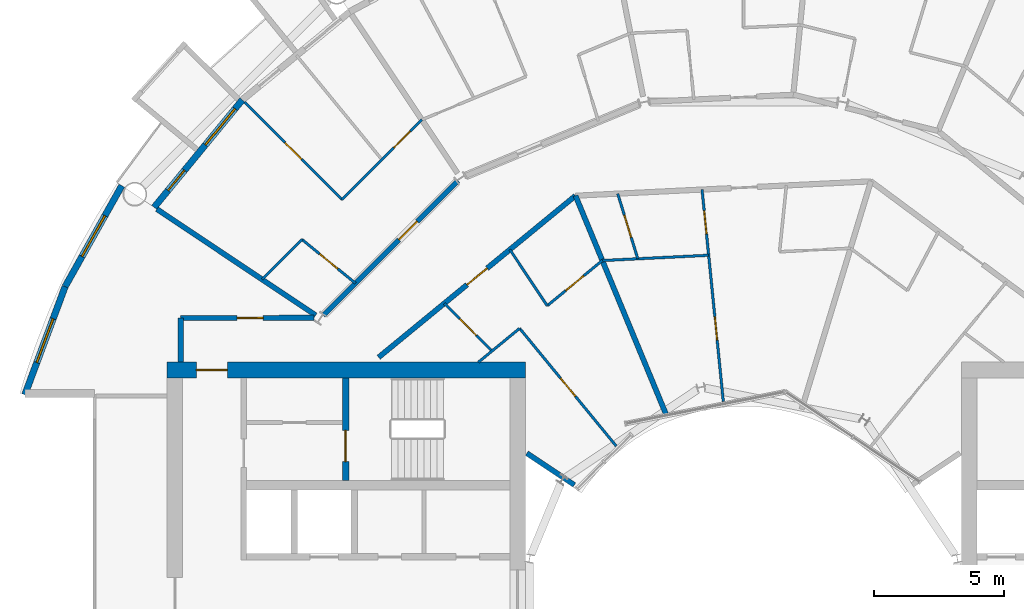
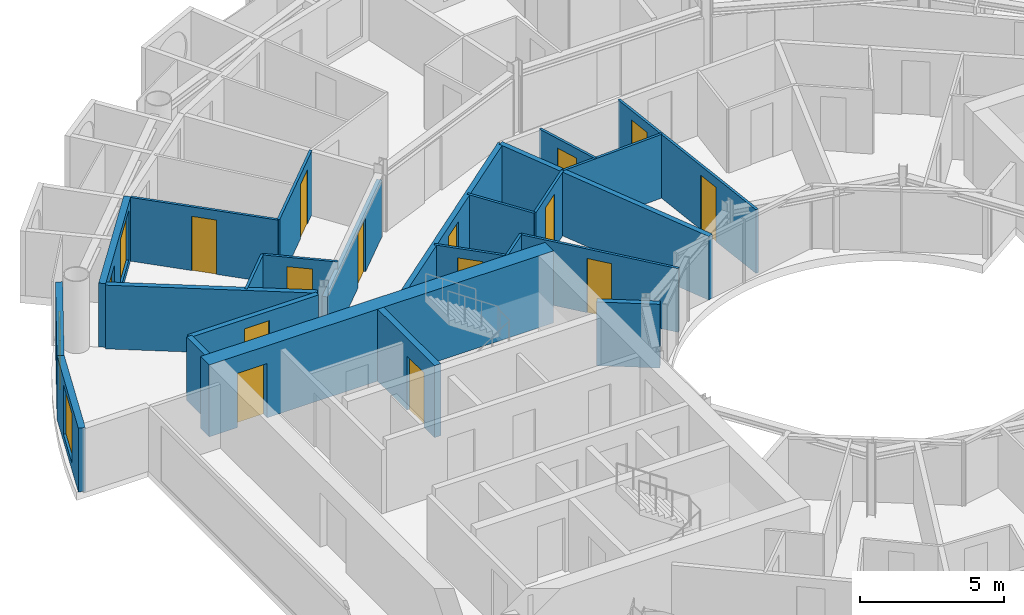
# One storey, part 19 of 27: 24 walls, 15 doors, 3 windows, 18 openings.
"""IFC4 building model written with IfcOpenShell, lengths in metres."""

from ifc_helpers import new_model, si_unit, direction, frame, frame_2d, origin, place, context, subcontext, project, spatial, rectangle, extrude, material, layer, layer_set, type_object, element, fill, save


model = new_model("IFC4")

# Units and contexts
model_context = context("Model", 3, precision=1e-05, world=origin(), true_north=direction((0.0, 1.0)))
body_context = subcontext(model_context, "Body", "Model", "MODEL_VIEW")
ifc_project = project(units=[si_unit("LENGTHUNIT", "METRE"), si_unit("AREAUNIT", "SQUARE_METRE"), si_unit("VOLUMEUNIT", "CUBIC_METRE"), si_unit("PLANEANGLEUNIT", "RADIAN"), si_unit("MASSUNIT", "GRAM", prefix="KILO")], contexts=[model_context])

# Site, building, storey
site_placement = place(None, origin())
site = spatial("IfcSite", under=ifc_project, at=site_placement, CompositionType="ELEMENT")
building_placement = place(site_placement, origin())
building = spatial("IfcBuilding", under=site, at=building_placement, Name="Maasbend Ring Residences", CompositionType="ELEMENT")
storey_placement = place(building_placement, frame((0.0, 0.0, 111.64990234375)))
storey = spatial("IfcBuildingStorey", under=building, at=storey_placement, Name="L31", CompositionType="ELEMENT", Elevation=111.64990234375)

# Wall, opening, door
ifc_material_1 = material(Name="Concrete C60/75", Category="concrete")
ifc_layer_1 = layer(ifc_material_1, 0.25)
ifc_layer_set_1 = layer_set([ifc_layer_1], Name="Concrete C60/75")
wall_type_1 = type_object("IfcWallType", Name="CORE WALL 250 C60/75", PredefinedType="SHEAR", material=ifc_layer_set_1)
wall_1_placement = place(storey_placement, frame((-15.324951171875, 8.60009765625, 0.0), z_axis=(0.0, 0.0, 1.0), x_axis=(0.0, -1.0, 0.0)))
wall_1 = element("IfcWall", 1, at=wall_1_placement, inside=storey, type_object=wall_type_1, Name="L31 core W wall STES", PredefinedType="SHEAR", context=body_context, shape_type="SweptSolid", body=[
    extrude(rectangle(XDim=3.9501953125, YDim=0.25, at=frame_2d((1.97509765625, 0.0))), origin(), (0.0, 0.0, 1.0), 3.050048828125),
])
opening_1_placement = place(wall_1_placement, frame((2.02490234375, 0.0, 0.0)))
opening_1 = element("IfcOpeningElement", 2, at=opening_1_placement, cuts=wall_1, Name="Opening D-W3110", PredefinedType="OPENING", context=body_context, shape_type="SweptSolid", body=[
    extrude(rectangle(XDim=1.199951171875, YDim=2.300048828125, at=frame_2d((0.60009765625, 1.14990234375))), frame((0.0, 0.135009765625, 0.0), z_axis=(0.0, -1.0, 0.0), x_axis=(1.0, 0.0, 0.0)), (0.0, 0.0, 1.0), 0.27001953125),
])
ifc_material_2 = material(Name="Steel, powder coated", Category="steel")
door_type_1 = type_object("IfcDoorType", Name="STAIR DOOR 1200 X 2300 FD60", OperationType="NOTDEFINED", PredefinedType="DOOR", material=ifc_material_2)
door_1_placement = place(opening_1_placement, origin())
door_1 = element("IfcDoor", 3, at=door_1_placement, inside=storey, type_object=door_type_1, Name="Stair door ST-W L31", OperationType="SINGLE_SWING_LEFT", OverallHeight=2.300048828125, OverallWidth=1.199951171875, PredefinedType="DOOR", context=body_context, shape_type="SweptSolid", body=[
    extrude(rectangle(XDim=1.199951171875, YDim=2.300048828125, at=frame_2d((0.60009765625, 1.14990234375))), frame((0.0, 0.02490234375, 0.0), z_axis=(0.0, -1.0, 0.0), x_axis=(1.0, 0.0, 0.0)), (0.0, 0.0, 1.0), 0.050048828125),
])
fill(opening_1, door_1)

ifc_material_3 = material(Name="Concrete C60/75", Category="concrete")
ifc_layer_2 = layer(ifc_material_3, 0.60009765625)
ifc_layer_set_2 = layer_set([ifc_layer_2], Name="Concrete C60/75")
wall_type_2 = type_object("IfcWallType", Name="CORE WALL 600 C60/75", PredefinedType="SHEAR", material=ifc_layer_set_2)
wall_2_placement = place(storey_placement, frame((-8.39990234375, 8.89990234375, 0.0), z_axis=(0.0, 0.0, 1.0), x_axis=(-1.0, 0.0, 0.0)))
wall_2 = element("IfcWall", 4, at=wall_2_placement, inside=storey, type_object=wall_type_2, Name="L31 core W wall PS", PredefinedType="SHEAR", context=body_context, shape_type="SweptSolid", body=[
    extrude(rectangle(XDim=13.800048828125, YDim=0.60009765625, at=frame_2d((6.89990234375, 0.0))), origin(), (0.0, 0.0, 1.0), 3.050048828125),
])
opening_2_placement = place(wall_2_placement, frame((11.47509765625, 0.0, 0.0)))
opening_2 = element("IfcOpeningElement", 5, at=opening_2_placement, cuts=wall_2, Name="Opening D-W3114", PredefinedType="OPENING", context=body_context, shape_type="SweptSolid", body=[
    extrude(rectangle(XDim=1.199951171875, YDim=2.300048828125, at=frame_2d((0.60009765625, 1.14990234375))), frame((0.0, 0.31005859375, 0.0), z_axis=(0.0, -1.0, 0.0), x_axis=(1.0, 0.0, 0.0)), (0.0, 0.0, 1.0), 0.6201171875),
])
ifc_material_4 = material(Name="Steel, powder coated", Category="steel")
door_type_2 = type_object("IfcDoorType", Name="CORRIDOR DOOR 1200 X 2300 FD30S", OperationType="NOTDEFINED", PredefinedType="DOOR", material=ifc_material_4)
door_2_placement = place(opening_2_placement, origin())
door_2 = element("IfcDoor", 6, at=door_2_placement, inside=storey, type_object=door_type_2, Name="Corridor door L31", OperationType="SINGLE_SWING_LEFT", OverallHeight=2.300048828125, OverallWidth=1.199951171875, PredefinedType="DOOR", context=body_context, shape_type="SweptSolid", body=[
    extrude(rectangle(XDim=1.199951171875, YDim=2.300048828125, at=frame_2d((0.60009765625, 1.14990234375))), frame((0.0, 0.02490234375, 0.0), z_axis=(0.0, -1.0, 0.0), x_axis=(1.0, 0.0, 0.0)), (0.0, 0.0, 1.0), 0.050048828125),
])
fill(opening_2, door_2)

ifc_material_5 = material(Name="Concrete C30/37", Category="concrete")
ifc_layer_3 = layer(ifc_material_5, 0.199951171875)
ifc_layer_set_3 = layer_set([ifc_layer_3], Name="Concrete C30/37")
wall_type_3 = type_object("IfcWallType", Name="CORRIDOR WALL 200 CONCRETE", PredefinedType="PARTITIONING", material=ifc_layer_set_3)
wall_3_placement = place(storey_placement, frame((-21.675048828125, 10.89990234375, 0.0), z_axis=(0.0, 0.0, 1.0), x_axis=(0.999997173357, 0.002377662213, 0.0)))
wall_3 = element("IfcWall", 7, at=wall_3_placement, inside=storey, type_object=wall_type_3, Name="U-L31-w088", PredefinedType="PARTITIONING", context=body_context, shape_type="SweptSolid", body=[
    extrude(rectangle(XDim=5.134033203125, YDim=0.199951171875, at=frame_2d((2.56689453125, 0.0))), origin(), (0.0, 0.0, 1.0), 2.7001953125),
])
opening_3_placement = place(wall_3_placement, frame((2.1708984375, 0.0, 0.0)))
opening_3 = element("IfcOpeningElement", 8, at=opening_3_placement, cuts=wall_3, Name="Opening D-3168", PredefinedType="OPENING", context=body_context, shape_type="SweptSolid", body=[
    extrude(rectangle(XDim=1.0, YDim=2.300048828125, at=frame_2d((0.5, 1.14990234375))), frame((0.0, 0.10986328125, 0.0), z_axis=(0.0, -1.0, 0.0), x_axis=(1.0, 0.0, 0.0)), (0.0, 0.0, 1.0), 0.219970703125),
])
ifc_material_6 = material(Name="Timber, painted", Category="wood")
door_type_3 = type_object("IfcDoorType", Name="ROOM DOOR 1000 X 2300", OperationType="NOTDEFINED", PredefinedType="DOOR", material=ifc_material_6)
door_3_placement = place(opening_3_placement, origin())
door_3 = element("IfcDoor", 9, at=door_3_placement, inside=storey, type_object=door_type_3, Name="D-3168", OperationType="SINGLE_SWING_RIGHT", OverallHeight=2.300048828125, OverallWidth=1.0, PredefinedType="DOOR", context=body_context, shape_type="SweptSolid", body=[
    extrude(rectangle(XDim=1.0, YDim=2.300048828125, at=frame_2d((0.5, 1.14990234375))), frame((0.0, 0.02490234375, 0.0), z_axis=(0.0, -1.0, 0.0), x_axis=(1.0, 0.0, 0.0)), (0.0, 0.0, 1.0), 0.050048828125),
])
fill(opening_3, door_3)

wall_4_placement = place(storey_placement, frame((-14.052001953125, 9.388916015625, 0.0), z_axis=(0.0, 0.0, 1.0), x_axis=(0.77292501819, 0.634497372931, 0.0)))
wall_4 = element("IfcWall", 10, at=wall_4_placement, inside=storey, type_object=wall_type_3, Name="U-L31-w098", PredefinedType="PARTITIONING", context=body_context, shape_type="SweptSolid", body=[
    extrude(rectangle(XDim=9.8095703125, YDim=0.199951171875, at=frame_2d((4.90478515625, 0.0))), origin(), (0.0, 0.0, 1.0), 2.7001953125),
])
opening_4_placement = place(wall_4_placement, frame((4.406005859375, 0.0, 0.0)))
opening_4 = element("IfcOpeningElement", 11, at=opening_4_placement, cuts=wall_4, Name="Opening D-3130", PredefinedType="OPENING", context=body_context, shape_type="SweptSolid", body=[
    extrude(rectangle(XDim=1.0, YDim=2.300048828125, at=frame_2d((0.5, 1.14990234375))), frame((0.0, 0.10986328125, 0.0), z_axis=(0.0, -1.0, 0.0), x_axis=(1.0, 0.0, 0.0)), (0.0, 0.0, 1.0), 0.219970703125),
])
ifc_material_7 = material(Name="Timber, fire-rated, painted", Category="wood")
door_type_4 = type_object("IfcDoorType", Name="FLAT ENTRANCE DOOR 1000 X 2300 FIRE-RATED", OperationType="NOTDEFINED", PredefinedType="DOOR", material=ifc_material_7)
door_4_placement = place(opening_4_placement, origin())
door_4 = element("IfcDoor", 12, at=door_4_placement, inside=storey, type_object=door_type_4, Name="D-3130", OperationType="SINGLE_SWING_RIGHT", OverallHeight=2.300048828125, OverallWidth=1.0, PredefinedType="DOOR", context=body_context, shape_type="SweptSolid", body=[
    extrude(rectangle(XDim=1.0, YDim=2.300048828125, at=frame_2d((0.5, 1.14990234375))), frame((0.0, 0.02490234375, 0.0), z_axis=(0.0, -1.0, 0.0), x_axis=(1.0, 0.0, 0.0)), (0.0, 0.0, 1.0), 0.050048828125),
])
fill(opening_4, door_4)

wall_5_placement = place(storey_placement, frame((-16.18603515625, 11.0, 0.0), z_axis=(0.0, 0.0, 1.0), x_axis=(0.707106781187, 0.707106781187, 0.0)))
wall_5 = element("IfcWall", 13, at=wall_5_placement, inside=storey, type_object=wall_type_3, Name="U-L31-w100", PredefinedType="PARTITIONING", context=body_context, shape_type="SweptSolid", body=[
    extrude(rectangle(XDim=7.334228515625, YDim=0.199951171875, at=frame_2d((3.6669921875, 0.0))), origin(), (0.0, 0.0, 1.0), 2.39013671875),
])
opening_5_placement = place(wall_5_placement, frame((4.123046875, 0.0, 0.0)))
opening_5 = element("IfcOpeningElement", 14, at=opening_5_placement, cuts=wall_5, Name="Opening D-3117", PredefinedType="OPENING", context=body_context, shape_type="SweptSolid", body=[
    extrude(rectangle(XDim=1.0, YDim=2.300048828125, at=frame_2d((0.5, 1.14990234375))), frame((0.0, 0.10986328125, 0.0), z_axis=(0.0, -1.0, 0.0), x_axis=(1.0, 0.0, 0.0)), (0.0, 0.0, 1.0), 0.219970703125),
])
door_5_placement = place(opening_5_placement, origin())
door_5 = element("IfcDoor", 15, at=door_5_placement, inside=storey, type_object=door_type_4, Name="D-3117", OperationType="SINGLE_SWING_RIGHT", OverallHeight=2.300048828125, OverallWidth=1.0, PredefinedType="DOOR", context=body_context, shape_type="SweptSolid", body=[
    extrude(rectangle(XDim=1.0, YDim=2.300048828125, at=frame_2d((0.5, 1.14990234375))), frame((0.0, 0.02490234375, 0.0), z_axis=(0.0, -1.0, 0.0), x_axis=(1.0, 0.0, 0.0)), (0.0, 0.0, 1.0), 0.050048828125),
])
fill(opening_5, door_5)

# Wall
wall_6_placement = place(storey_placement, frame((-21.675048828125, 9.199951171875, 0.0), z_axis=(0.0, 0.0, 1.0), x_axis=(0.0, 1.0, 0.0)))
element("IfcWall", 16, at=wall_6_placement, inside=storey, type_object=wall_type_3, Name="U-L31-w108", PredefinedType="PARTITIONING", context=body_context, shape_type="SweptSolid", body=[
    extrude(rectangle(XDim=1.699951171875, YDim=0.199951171875, at=frame_2d((0.85009765625, 0.0))), origin(), (0.0, 0.0, 1.0), 2.7001953125),
])

# Wall, openings, door, window
ifc_material_8 = material(Name="Aluminium clad insulated panel", Category="aluminium")
ifc_layer_4 = layer(ifc_material_8, 0.25)
ifc_layer_set_4 = layer_set([ifc_layer_4], Name="EW-GL")
wall_type_4 = type_object("IfcWallType", Name="EW-GL", PredefinedType="SOLIDWALL", material=ifc_layer_set_4)
wall_7_placement = place(storey_placement, frame((-19.303955078125, 19.303955078125, 0.0), z_axis=(0.0, 0.0, 1.0), x_axis=(-0.634382322723, -0.773019449054, 0.0)))
wall_7 = element("IfcWall", 17, at=wall_7_placement, inside=storey, type_object=wall_type_4, Name="External wall N10", PredefinedType="SOLIDWALL", context=body_context, shape_type="SweptSolid", body=[
    extrude(rectangle(XDim=5.351806640625, YDim=0.25, at=frame_2d((2.67578125, 0.0))), origin(), (0.0, 0.0, 1.0), 2.7001953125),
])
opening_6_placement = place(wall_7_placement, frame((0.441162109375, 0.0, 0.300048828125)))
opening_6 = element("IfcOpeningElement", 18, at=opening_6_placement, cuts=wall_7, Name="Opening W-BX", PredefinedType="OPENING", context=body_context, shape_type="SweptSolid", body=[
    extrude(rectangle(XDim=1.800048828125, YDim=2.10009765625, at=frame_2d((0.89990234375, 1.050048828125))), frame((0.0, 0.135009765625, 0.0), z_axis=(0.0, -1.0, 0.0), x_axis=(1.0, 0.0, 0.0)), (0.0, 0.0, 1.0), 0.27001953125),
])
opening_7_placement = place(wall_7_placement, frame((3.510498046875, 0.0, 0.0)))
opening_7 = element("IfcOpeningElement", 19, at=opening_7_placement, cuts=wall_7, Name="Opening D-LG", PredefinedType="OPENING", context=body_context, shape_type="SweptSolid", body=[
    extrude(rectangle(XDim=1.0, YDim=2.199951171875, at=frame_2d((0.5, 1.10009765625))), frame((0.0, 0.135009765625, 0.0), z_axis=(0.0, -1.0, 0.0), x_axis=(1.0, 0.0, 0.0)), (0.0, 0.0, 1.0), 0.27001953125),
])
ifc_material_9 = material(Name="Aluminium and clear glass", Category="aluminium")
door_type_5 = type_object("IfcDoorType", Name="D-LG", OperationType="SINGLE_SWING_LEFT", PredefinedType="DOOR", material=ifc_material_9)
door_6_placement = place(opening_7_placement, origin())
door_6 = element("IfcDoor", 20, at=door_6_placement, inside=storey, type_object=door_type_5, Name="Loggia door N20", OperationType="SINGLE_SWING_LEFT", OverallHeight=2.199951171875, OverallWidth=1.0, PredefinedType="DOOR", context=body_context, shape_type="SweptSolid", body=[
    extrude(rectangle(XDim=1.0, YDim=2.199951171875, at=frame_2d((0.5, 1.10009765625))), frame((0.0, 0.02490234375, 0.0), z_axis=(0.0, -1.0, 0.0), x_axis=(1.0, 0.0, 0.0)), (0.0, 0.0, 1.0), 0.050048828125),
])
fill(opening_7, door_6)
ifc_material_10 = material(Name="Aluminium and clear glass", Category="aluminium")
window_type = type_object("IfcWindowType", Name="W-BX", PartitioningType="DOUBLE_PANEL_VERTICAL", PredefinedType="WINDOW", material=ifc_material_10)
window_1_placement = place(opening_6_placement, origin())
window_1 = element("IfcWindow", 21, at=window_1_placement, inside=storey, type_object=window_type, Name="Window N19 room to box", OverallHeight=2.10009765625, OverallWidth=1.800048828125, PartitioningType="SINGLE_PANEL", PredefinedType="WINDOW", context=body_context, shape_type="SweptSolid", body=[
    extrude(rectangle(XDim=1.800048828125, YDim=2.10009765625, at=frame_2d((0.89990234375, 1.050048828125))), frame((0.0, 0.030029296875, 0.0), z_axis=(0.0, -1.0, 0.0), x_axis=(1.0, 0.0, 0.0)), (0.0, 0.0, 1.0), 0.06005859375),
])
fill(opening_6, window_1)

# Wall, opening, window
ifc_material_11 = material(Name="Aluminium clad insulated panel", Category="aluminium")
ifc_layer_5 = layer(ifc_material_11, 0.25)
ifc_layer_set_5 = layer_set([ifc_layer_5], Name="EW-HORN")
wall_type_5 = type_object("IfcWallType", Name="EW-HORN", PredefinedType="SOLIDWALL", material=ifc_layer_set_5)
wall_8_placement = place(storey_placement, frame((-23.946044921875, 16.0, 0.0), z_axis=(0.0, 0.0, 1.0), x_axis=(-0.489696356642, -0.871893042919, 0.0)))
wall_8 = element("IfcWall", 22, at=wall_8_placement, inside=storey, type_object=wall_type_5, Name="Horn wall 4.1", PredefinedType="SOLIDWALL", context=body_context, shape_type="SweptSolid", body=[
    extrude(rectangle(XDim=4.45361328125, YDim=0.25, at=frame_2d((2.226806640625, 0.0))), origin(), (0.0, 0.0, 1.0), 2.7001953125),
])
opening_8_placement = place(wall_8_placement, frame((1.32666015625, 0.0, 0.300048828125)))
opening_8 = element("IfcOpeningElement", 23, at=opening_8_placement, cuts=wall_8, Name="Opening W-BX", PredefinedType="OPENING", context=body_context, shape_type="SweptSolid", body=[
    extrude(rectangle(XDim=1.800048828125, YDim=2.10009765625, at=frame_2d((0.89990234375, 1.050048828125))), frame((0.0, 0.135009765625, 0.0), z_axis=(0.0, -1.0, 0.0), x_axis=(1.0, 0.0, 0.0)), (0.0, 0.0, 1.0), 0.27001953125),
])
window_2_placement = place(opening_8_placement, origin())
window_2 = element("IfcWindow", 24, at=window_2_placement, inside=storey, type_object=window_type, Name="Horn window 4.1", OverallHeight=2.10009765625, OverallWidth=1.800048828125, PartitioningType="SINGLE_PANEL", PredefinedType="WINDOW", context=body_context, shape_type="SweptSolid", body=[
    extrude(rectangle(XDim=1.800048828125, YDim=2.10009765625, at=frame_2d((0.89990234375, 1.050048828125))), frame((0.0, 0.030029296875, 0.0), z_axis=(0.0, -1.0, 0.0), x_axis=(1.0, 0.0, 0.0)), (0.0, 0.0, 1.0), 0.06005859375),
])
fill(opening_8, window_2)

wall_9_placement = place(storey_placement, frame((-26.126953125, 12.116943359375, 0.0), z_axis=(0.0, 0.0, 1.0), x_axis=(-0.349247811493, -0.937030397675, 0.0)))
wall_9 = element("IfcWall", 25, at=wall_9_placement, inside=storey, type_object=wall_type_5, Name="Horn wall 4.2", PredefinedType="SOLIDWALL", context=body_context, shape_type="SweptSolid", body=[
    extrude(rectangle(XDim=4.4521484375, YDim=0.25, at=frame_2d((2.22607421875, 0.0))), origin(), (0.0, 0.0, 1.0), 2.7001953125),
])
opening_9_placement = place(wall_9_placement, frame((1.32666015625, 0.0, 0.300048828125)))
opening_9 = element("IfcOpeningElement", 26, at=opening_9_placement, cuts=wall_9, Name="Opening W-BX", PredefinedType="OPENING", context=body_context, shape_type="SweptSolid", body=[
    extrude(rectangle(XDim=1.800048828125, YDim=2.10009765625, at=frame_2d((0.89990234375, 1.050048828125))), frame((0.0, 0.135009765625, 0.0), z_axis=(0.0, -1.0, 0.0), x_axis=(1.0, 0.0, 0.0)), (0.0, 0.0, 1.0), 0.27001953125),
])
window_3_placement = place(opening_9_placement, origin())
window_3 = element("IfcWindow", 27, at=window_3_placement, inside=storey, type_object=window_type, Name="Horn window 4.2", OverallHeight=2.10009765625, OverallWidth=1.800048828125, PartitioningType="SINGLE_PANEL", PredefinedType="WINDOW", context=body_context, shape_type="SweptSolid", body=[
    extrude(rectangle(XDim=1.800048828125, YDim=2.10009765625, at=frame_2d((0.89990234375, 1.050048828125))), frame((0.0, 0.030029296875, 0.0), z_axis=(0.0, -1.0, 0.0), x_axis=(1.0, 0.0, 0.0)), (0.0, 0.0, 1.0), 0.06005859375),
])
fill(opening_9, window_3)

# Wall, opening, door
ifc_material_12 = material(Name="Gypsum board on steel studs", Category="steel")
ifc_layer_6 = layer(ifc_material_12, 0.10009765625)
ifc_layer_set_6 = layer_set([ifc_layer_6], Name="PARTITION 100 GYPSUM")
wall_type_6 = type_object("IfcWallType", Name="PARTITION 100 GYPSUM", PredefinedType="PARTITIONING", material=ifc_layer_set_6)
wall_10_placement = place(storey_placement, frame((-19.216064453125, 19.216064453125, 0.0), z_axis=(0.0, 0.0, 1.0), x_axis=(0.707106781187, -0.707106781187, 0.0)))
wall_10 = element("IfcWall", 28, at=wall_10_placement, inside=storey, type_object=wall_type_6, Name="U-L31-w031", PredefinedType="PARTITIONING", context=body_context, shape_type="SweptSolid", body=[
    extrude(rectangle(XDim=5.3046875, YDim=0.10009765625, at=frame_2d((2.65234375, 0.0))), origin(), (0.0, 0.0, 1.0), 2.7001953125),
])
opening_10_placement = place(wall_10_placement, frame((2.201904296875, 0.0, 0.0)))
opening_10 = element("IfcOpeningElement", 29, at=opening_10_placement, cuts=wall_10, Name="Opening D-3119", PredefinedType="OPENING", context=body_context, shape_type="SweptSolid", body=[
    extrude(rectangle(XDim=0.89990234375, YDim=2.300048828125, at=frame_2d((0.449951171875, 1.14990234375))), frame((0.0, 0.06005859375, 0.0), z_axis=(0.0, -1.0, 0.0), x_axis=(1.0, 0.0, 0.0)), (0.0, 0.0, 1.0), 0.1201171875),
])
ifc_material_13 = material(Name="Timber, painted", Category="wood")
door_type_6 = type_object("IfcDoorType", Name="INTERNAL DOOR 900 X 2300", OperationType="NOTDEFINED", PredefinedType="DOOR", material=ifc_material_13)
door_7_placement = place(opening_10_placement, origin())
door_7 = element("IfcDoor", 30, at=door_7_placement, inside=storey, type_object=door_type_6, Name="D-3119", OperationType="SINGLE_SWING_LEFT", OverallHeight=2.300048828125, OverallWidth=0.89990234375, PredefinedType="DOOR", context=body_context, shape_type="SweptSolid", body=[
    extrude(rectangle(XDim=0.89990234375, YDim=2.300048828125, at=frame_2d((0.449951171875, 1.14990234375))), frame((0.0, 0.02490234375, 0.0), z_axis=(0.0, -1.0, 0.0), x_axis=(1.0, 0.0, 0.0)), (0.0, 0.0, 1.0), 0.050048828125),
])
fill(opening_10, door_7)

wall_11_placement = place(storey_placement, frame((-17.00390625, 13.927001953125, 0.0), z_axis=(0.0, 0.0, 1.0), x_axis=(0.77367517848, -0.633582447834, 0.0)))
wall_11 = element("IfcWall", 31, at=wall_11_placement, inside=storey, type_object=wall_type_6, Name="U-L31-w034", PredefinedType="PARTITIONING", context=body_context, shape_type="SweptSolid", body=[
    extrude(rectangle(XDim=2.6611328125, YDim=0.10009765625, at=frame_2d((1.33056640625, 0.0))), origin(), (0.0, 0.0, 1.0), 2.7001953125),
])
opening_11_placement = place(wall_11_placement, frame((0.881103515625, 0.0, 0.0)))
opening_11 = element("IfcOpeningElement", 32, at=opening_11_placement, cuts=wall_11, Name="Opening D-3118", PredefinedType="OPENING", context=body_context, shape_type="SweptSolid", body=[
    extrude(rectangle(XDim=0.89990234375, YDim=2.300048828125, at=frame_2d((0.449951171875, 1.14990234375))), frame((0.0, 0.06005859375, 0.0), z_axis=(0.0, -1.0, 0.0), x_axis=(1.0, 0.0, 0.0)), (0.0, 0.0, 1.0), 0.1201171875),
])
door_8_placement = place(opening_11_placement, origin())
door_8 = element("IfcDoor", 33, at=door_8_placement, inside=storey, type_object=door_type_6, Name="D-3118", OperationType="SINGLE_SWING_RIGHT", OverallHeight=2.300048828125, OverallWidth=0.89990234375, PredefinedType="DOOR", context=body_context, shape_type="SweptSolid", body=[
    extrude(rectangle(XDim=0.89990234375, YDim=2.300048828125, at=frame_2d((0.449951171875, 1.14990234375))), frame((0.0, 0.02490234375, 0.0), z_axis=(0.0, -1.0, 0.0), x_axis=(1.0, 0.0, 0.0)), (0.0, 0.0, 1.0), 0.050048828125),
])
fill(opening_11, door_8)

wall_12_placement = place(storey_placement, frame((-11.52392578125, 11.464111328125, 0.0), z_axis=(0.0, 0.0, 1.0), x_axis=(0.708796844581, -0.705412668665, 0.0)))
wall_12 = element("IfcWall", 34, at=wall_12_placement, inside=storey, type_object=wall_type_6, Name="U-L31-w041", PredefinedType="PARTITIONING", context=body_context, shape_type="SweptSolid", body=[
    extrude(rectangle(XDim=2.59716796875, YDim=0.10009765625, at=frame_2d((1.298583984375, 0.0))), origin(), (0.0, 0.0, 1.0), 2.7001953125),
])
opening_12_placement = place(wall_12_placement, frame((0.84912109375, 0.0, 0.0)))
opening_12 = element("IfcOpeningElement", 35, at=opening_12_placement, cuts=wall_12, Name="Opening D-3132", PredefinedType="OPENING", context=body_context, shape_type="SweptSolid", body=[
    extrude(rectangle(XDim=0.89990234375, YDim=2.300048828125, at=frame_2d((0.449951171875, 1.14990234375))), frame((0.0, 0.06005859375, 0.0), z_axis=(0.0, -1.0, 0.0), x_axis=(1.0, 0.0, 0.0)), (0.0, 0.0, 1.0), 0.1201171875),
])
door_9_placement = place(opening_12_placement, origin())
door_9 = element("IfcDoor", 36, at=door_9_placement, inside=storey, type_object=door_type_6, Name="D-3132", OperationType="SINGLE_SWING_RIGHT", OverallHeight=2.300048828125, OverallWidth=0.89990234375, PredefinedType="DOOR", context=body_context, shape_type="SweptSolid", body=[
    extrude(rectangle(XDim=0.89990234375, YDim=2.300048828125, at=frame_2d((0.449951171875, 1.14990234375))), frame((0.0, 0.02490234375, 0.0), z_axis=(0.0, -1.0, 0.0), x_axis=(1.0, 0.0, 0.0)), (0.0, 0.0, 1.0), 0.050048828125),
])
fill(opening_12, door_9)

# Wall
wall_13_placement = place(storey_placement, frame((-8.99609375, 13.5390625, 0.0), z_axis=(0.0, 0.0, 1.0), x_axis=(0.553615197403, -0.83277260594, 0.0)))
element("IfcWall", 37, at=wall_13_placement, inside=storey, type_object=wall_type_6, Name="U-L31-w045", PredefinedType="PARTITIONING", context=body_context, shape_type="SweptSolid", body=[
    extrude(rectangle(XDim=2.597412109375, YDim=0.10009765625, at=frame_2d((1.298828125, 0.0))), origin(), (0.0, 0.0, 1.0), 2.7001953125),
])

# Wall, opening, door
wall_14_placement = place(storey_placement, frame((-8.6201171875, 10.50390625, 0.0), z_axis=(0.0, 0.0, 1.0), x_axis=(0.634358693064, -0.773038840249, 0.0)))
wall_14 = element("IfcWall", 38, at=wall_14_placement, inside=storey, type_object=wall_type_6, Name="U-L31-w047", PredefinedType="PARTITIONING", context=body_context, shape_type="SweptSolid", body=[
    extrude(rectangle(XDim=5.86767578125, YDim=0.10009765625, at=frame_2d((2.933837890625, 0.0))), origin(), (0.0, 0.0, 1.0), 2.7001953125),
])
opening_13_placement = place(wall_14_placement, frame((2.48388671875, 0.0, 0.0)))
opening_13 = element("IfcOpeningElement", 39, at=opening_13_placement, cuts=wall_14, Name="Opening D-3133", PredefinedType="OPENING", context=body_context, shape_type="SweptSolid", body=[
    extrude(rectangle(XDim=0.89990234375, YDim=2.300048828125, at=frame_2d((0.449951171875, 1.14990234375))), frame((0.0, 0.06005859375, 0.0), z_axis=(0.0, -1.0, 0.0), x_axis=(1.0, 0.0, 0.0)), (0.0, 0.0, 1.0), 0.1201171875),
])
door_10_placement = place(opening_13_placement, origin())
door_10 = element("IfcDoor", 40, at=door_10_placement, inside=storey, type_object=door_type_6, Name="D-3133", OperationType="SINGLE_SWING_RIGHT", OverallHeight=2.300048828125, OverallWidth=0.89990234375, PredefinedType="DOOR", context=body_context, shape_type="SweptSolid", body=[
    extrude(rectangle(XDim=0.89990234375, YDim=2.300048828125, at=frame_2d((0.449951171875, 1.14990234375))), frame((0.0, 0.02490234375, 0.0), z_axis=(0.0, -1.0, 0.0), x_axis=(1.0, 0.0, 0.0)), (0.0, 0.0, 1.0), 0.050048828125),
])
fill(opening_13, door_10)

wall_15_placement = place(storey_placement, frame((-4.843017578125, 15.693115234375, 0.0), z_axis=(0.0, 0.0, 1.0), x_axis=(0.294961884541, -0.955509019669, 0.0)))
wall_15 = element("IfcWall", 41, at=wall_15_placement, inside=storey, type_object=wall_type_6, Name="U-L31-w053", PredefinedType="PARTITIONING", context=body_context, shape_type="SweptSolid", body=[
    extrude(rectangle(XDim=2.623779296875, YDim=0.10009765625, at=frame_2d((1.31201171875, 0.0))), origin(), (0.0, 0.0, 1.0), 2.7001953125),
])
opening_14_placement = place(wall_15_placement, frame((0.862060546875, 0.0, 0.0)))
opening_14 = element("IfcOpeningElement", 42, at=opening_14_placement, cuts=wall_15, Name="Opening D-3128", PredefinedType="OPENING", context=body_context, shape_type="SweptSolid", body=[
    extrude(rectangle(XDim=0.89990234375, YDim=2.300048828125, at=frame_2d((0.449951171875, 1.14990234375))), frame((0.0, 0.06005859375, 0.0), z_axis=(0.0, -1.0, 0.0), x_axis=(1.0, 0.0, 0.0)), (0.0, 0.0, 1.0), 0.1201171875),
])
door_11_placement = place(opening_14_placement, origin())
door_11 = element("IfcDoor", 43, at=door_11_placement, inside=storey, type_object=door_type_6, Name="D-3128", OperationType="SINGLE_SWING_RIGHT", OverallHeight=2.300048828125, OverallWidth=0.89990234375, PredefinedType="DOOR", context=body_context, shape_type="SweptSolid", body=[
    extrude(rectangle(XDim=0.89990234375, YDim=2.300048828125, at=frame_2d((0.449951171875, 1.14990234375))), frame((0.0, 0.02490234375, 0.0), z_axis=(0.0, -1.0, 0.0), x_axis=(1.0, 0.0, 0.0)), (0.0, 0.0, 1.0), 0.050048828125),
])
fill(opening_14, door_11)

# Wall, openings, doors
wall_16_placement = place(storey_placement, frame((-1.593017578125, 15.85302734375, 0.0), z_axis=(0.0, 0.0, 1.0), x_axis=(0.099730339513, -0.995014502096, 0.0)))
wall_16 = element("IfcWall", 44, at=wall_16_placement, inside=storey, type_object=wall_type_6, Name="U-L31-w056", PredefinedType="PARTITIONING", context=body_context, shape_type="SweptSolid", body=[
    extrude(rectangle(XDim=8.213134765625, YDim=0.10009765625, at=frame_2d((4.1064453125, 0.0))), origin(), (0.0, 0.0, 1.0), 2.7001953125),
])
opening_15_placement = place(wall_16_placement, frame((0.822998046875, 0.0, 0.0)))
opening_15 = element("IfcOpeningElement", 45, at=opening_15_placement, cuts=wall_16, Name="Opening D-3127", PredefinedType="OPENING", context=body_context, shape_type="SweptSolid", body=[
    extrude(rectangle(XDim=0.89990234375, YDim=2.300048828125, at=frame_2d((0.449951171875, 1.14990234375))), frame((0.0, 0.06005859375, 0.0), z_axis=(0.0, -1.0, 0.0), x_axis=(1.0, 0.0, 0.0)), (0.0, 0.0, 1.0), 0.1201171875),
])
opening_16_placement = place(wall_16_placement, frame((4.928955078125, 0.0, 0.0)))
opening_16 = element("IfcOpeningElement", 46, at=opening_16_placement, cuts=wall_16, Name="Opening D-3129", PredefinedType="OPENING", context=body_context, shape_type="SweptSolid", body=[
    extrude(rectangle(XDim=0.89990234375, YDim=2.300048828125, at=frame_2d((0.449951171875, 1.14990234375))), frame((0.0, 0.06005859375, 0.0), z_axis=(0.0, -1.0, 0.0), x_axis=(1.0, 0.0, 0.0)), (0.0, 0.0, 1.0), 0.1201171875),
])
door_12_placement = place(opening_15_placement, origin())
door_12 = element("IfcDoor", 47, at=door_12_placement, inside=storey, type_object=door_type_6, Name="D-3127", OperationType="SINGLE_SWING_LEFT", OverallHeight=2.300048828125, OverallWidth=0.89990234375, PredefinedType="DOOR", context=body_context, shape_type="SweptSolid", body=[
    extrude(rectangle(XDim=0.89990234375, YDim=2.300048828125, at=frame_2d((0.449951171875, 1.14990234375))), frame((0.0, 0.02490234375, 0.0), z_axis=(0.0, -1.0, 0.0), x_axis=(1.0, 0.0, 0.0)), (0.0, 0.0, 1.0), 0.050048828125),
])
fill(opening_15, door_12)
door_13_placement = place(opening_16_placement, origin())
door_13 = element("IfcDoor", 48, at=door_13_placement, inside=storey, type_object=door_type_6, Name="D-3129", OperationType="SINGLE_SWING_RIGHT", OverallHeight=2.300048828125, OverallWidth=0.89990234375, PredefinedType="DOOR", context=body_context, shape_type="SweptSolid", body=[
    extrude(rectangle(XDim=0.89990234375, YDim=2.300048828125, at=frame_2d((0.449951171875, 1.14990234375))), frame((0.0, 0.02490234375, 0.0), z_axis=(0.0, -1.0, 0.0), x_axis=(1.0, 0.0, 0.0)), (0.0, 0.0, 1.0), 0.050048828125),
])
fill(opening_16, door_13)

# Walls
wall_17_placement = place(storey_placement, frame((-5.43896484375, 13.115966796875, 0.0), z_axis=(0.0, 0.0, 1.0), x_axis=(0.998772010578, 0.049542616872, 0.0)))
element("IfcWall", 49, at=wall_17_placement, inside=storey, type_object=wall_type_6, Name="U-L31-w090", PredefinedType="PARTITIONING", context=body_context, shape_type="SweptSolid", body=[
    extrude(rectangle(XDim=4.10009765625, YDim=0.10009765625, at=frame_2d((2.050048828125, 0.0))), origin(), (0.0, 0.0, 1.0), 2.7001953125),
])
wall_18_placement = place(storey_placement, frame((-10.20703125, 9.201904296875, 0.0), z_axis=(0.0, 0.0, 1.0), x_axis=(0.772998703631, 0.634407600983, 0.0)))
element("IfcWall", 50, at=wall_18_placement, inside=storey, type_object=wall_type_6, Name="U-L31-w094", PredefinedType="PARTITIONING", context=body_context, shape_type="SweptSolid", body=[
    extrude(rectangle(XDim=2.0556640625, YDim=0.10009765625, at=frame_2d((1.02783203125, 0.0))), origin(), (0.0, 0.0, 1.0), 2.7001953125),
])

# Wall, opening, door
wall_19_placement = place(storey_placement, frame((-7.555908203125, 11.376953125, 0.0), z_axis=(0.0, 0.0, 1.0), x_axis=(0.773149312811, 0.634224045665, 0.0)))
wall_19 = element("IfcWall", 51, at=wall_19_placement, inside=storey, type_object=wall_type_6, Name="U-L31-w095", PredefinedType="PARTITIONING", context=body_context, shape_type="SweptSolid", body=[
    extrude(rectangle(XDim=2.74853515625, YDim=0.10009765625, at=frame_2d((1.374267578125, 0.0))), origin(), (0.0, 0.0, 1.0), 2.7001953125),
])
opening_17_placement = place(wall_19_placement, frame((0.922119140625, 0.0, 0.0)))
opening_17 = element("IfcOpeningElement", 52, at=opening_17_placement, cuts=wall_19, Name="Opening D-3131", PredefinedType="OPENING", context=body_context, shape_type="SweptSolid", body=[
    extrude(rectangle(XDim=0.89990234375, YDim=2.300048828125, at=frame_2d((0.449951171875, 1.14990234375))), frame((0.0, 0.06005859375, 0.0), z_axis=(0.0, -1.0, 0.0), x_axis=(1.0, 0.0, 0.0)), (0.0, 0.0, 1.0), 0.1201171875),
])
door_14_placement = place(opening_17_placement, origin())
door_14 = element("IfcDoor", 53, at=door_14_placement, inside=storey, type_object=door_type_6, Name="D-3131", OperationType="SINGLE_SWING_LEFT", OverallHeight=2.300048828125, OverallWidth=0.89990234375, PredefinedType="DOOR", context=body_context, shape_type="SweptSolid", body=[
    extrude(rectangle(XDim=0.89990234375, YDim=2.300048828125, at=frame_2d((0.449951171875, 1.14990234375))), frame((0.0, 0.02490234375, 0.0), z_axis=(0.0, -1.0, 0.0), x_axis=(1.0, 0.0, 0.0)), (0.0, 0.0, 1.0), 0.050048828125),
])
fill(opening_17, door_14)

# Wall
wall_20_placement = place(storey_placement, frame((-18.5419921875, 12.388916015625, 0.0), z_axis=(0.0, 0.0, 1.0), x_axis=(0.707106781187, 0.707106781187, 0.0)))
element("IfcWall", 54, at=wall_20_placement, inside=storey, type_object=wall_type_6, Name="U-L31-w109", PredefinedType="PARTITIONING", context=body_context, shape_type="SweptSolid", body=[
    extrude(rectangle(XDim=2.17529296875, YDim=0.10009765625, at=frame_2d((1.087646484375, 0.0))), origin(), (0.0, 0.0, 1.0), 2.7001953125),
])

# Wall, opening, door
wall_21_placement = place(storey_placement, frame((-15.465087890625, 15.465087890625, 0.0), z_axis=(0.0, 0.0, 1.0), x_axis=(0.707022606819, 0.707190945535, 0.0)))
wall_21 = element("IfcWall", 55, at=wall_21_placement, inside=storey, type_object=wall_type_6, Name="U-L31-w110", PredefinedType="PARTITIONING", context=body_context, shape_type="SweptSolid", body=[
    extrude(rectangle(XDim=4.350830078125, YDim=0.10009765625, at=frame_2d((2.17529296875, 0.0))), origin(), (0.0, 0.0, 1.0), 2.7001953125),
])
opening_18_placement = place(wall_21_placement, frame((2.81298828125, 0.0, 0.0)))
opening_18 = element("IfcOpeningElement", 56, at=opening_18_placement, cuts=wall_21, Name="Opening D-3120", PredefinedType="OPENING", context=body_context, shape_type="SweptSolid", body=[
    extrude(rectangle(XDim=0.89990234375, YDim=2.300048828125, at=frame_2d((0.449951171875, 1.14990234375))), frame((0.0, 0.06005859375, 0.0), z_axis=(0.0, -1.0, 0.0), x_axis=(1.0, 0.0, 0.0)), (0.0, 0.0, 1.0), 0.1201171875),
])
door_15_placement = place(opening_18_placement, origin())
door_15 = element("IfcDoor", 57, at=door_15_placement, inside=storey, type_object=door_type_6, Name="D-3120", OperationType="SINGLE_SWING_RIGHT", OverallHeight=2.300048828125, OverallWidth=0.89990234375, PredefinedType="DOOR", context=body_context, shape_type="SweptSolid", body=[
    extrude(rectangle(XDim=0.89990234375, YDim=2.300048828125, at=frame_2d((0.449951171875, 1.14990234375))), frame((0.0, 0.02490234375, 0.0), z_axis=(0.0, -1.0, 0.0), x_axis=(1.0, 0.0, 0.0)), (0.0, 0.0, 1.0), 0.050048828125),
])
fill(opening_18, door_15)

# Walls
ifc_material_14 = material(Name="Concrete C30/37", Category="concrete")
ifc_layer_7 = layer(ifc_material_14, 0.199951171875)
ifc_layer_set_7 = layer_set([ifc_layer_7], Name="Concrete C30/37")
wall_type_7 = type_object("IfcWallType", Name="PARTY WALL 200 CONCRETE", PredefinedType="PARTITIONING", material=ifc_layer_set_7)
wall_22_placement = place(storey_placement, frame((-22.594970703125, 15.097900390625, 0.0), z_axis=(0.0, 0.0, 1.0), x_axis=(0.831406593008, -0.555664536482, 0.0)))
element("IfcWall", 58, at=wall_22_placement, inside=storey, type_object=wall_type_7, Name="U-L31-w030", PredefinedType="PARTITIONING", context=body_context, shape_type="SweptSolid", body=[
    extrude(rectangle(XDim=7.3583984375, YDim=0.199951171875, at=frame_2d((3.67919921875, 0.0))), origin(), (0.0, 0.0, 1.0), 2.7001953125),
])
wall_23_placement = place(storey_placement, frame((-6.468017578125, 15.614013671875, 0.0), z_axis=(0.0, 0.0, 1.0), x_axis=(0.382646942224, -0.923894646378, 0.0)))
element("IfcWall", 59, at=wall_23_placement, inside=storey, type_object=wall_type_7, Name="U-L31-w048", PredefinedType="PARTITIONING", context=body_context, shape_type="SweptSolid", body=[
    extrude(rectangle(XDim=9.1806640625, YDim=0.199951171875, at=frame_2d((4.59033203125, 0.0))), origin(), (0.0, 0.0, 1.0), 2.7001953125),
])
wall_24_placement = place(storey_placement, frame((-6.512939453125, 4.471923828125, 0.0), z_axis=(0.0, 0.0, 1.0), x_axis=(-0.831333375071, 0.555774072347, 0.0)))
element("IfcWall", 60, at=wall_24_placement, inside=storey, type_object=wall_type_7, Name="U-L31-w086", PredefinedType="PARTITIONING", context=body_context, shape_type="SweptSolid", body=[
    extrude(rectangle(XDim=2.20263671875, YDim=0.199951171875, at=frame_2d((1.101318359375, 0.0))), origin(), (0.0, 0.0, 1.0), 2.7001953125),
])

save(model, "model.ifc")
